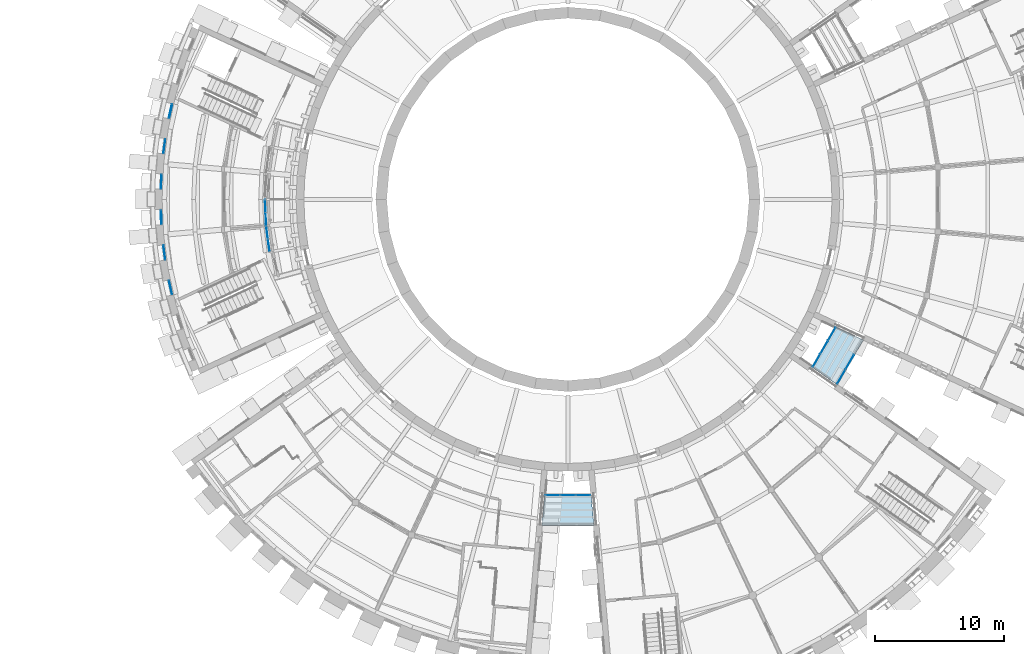
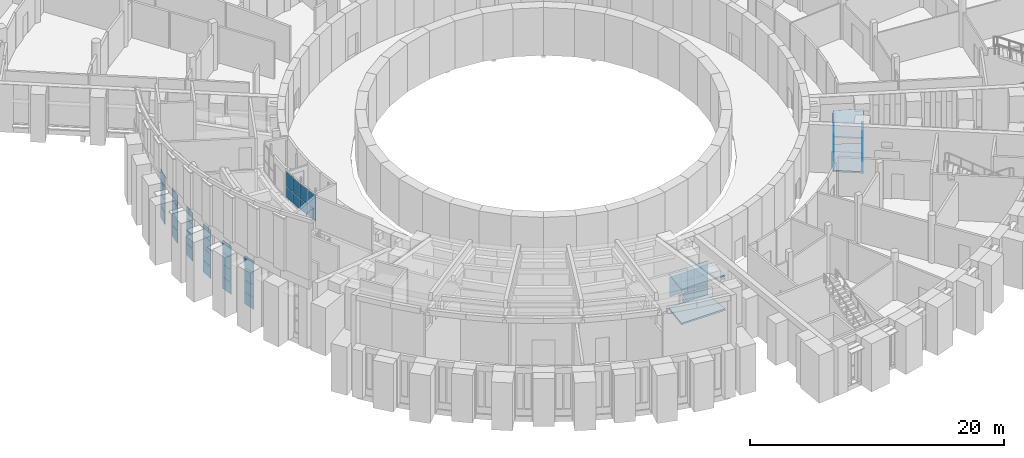
# One storey, part 30 of 66: 55 plates, 4 slabs, 11 elements without a shape of their own.
"""IFC4 building model written with IfcOpenShell, lengths in metres."""

from ifc_helpers import new_model, si_unit, direction, frame, origin, origin_2d, place, context, subcontext, project, spatial, polyline, rectangle, outline, extrude, material, layer, layer_set, type_object, element, aggregate, save


model = new_model("IFC4")

# Units and contexts
model_context = context("Model", 3, precision=1e-05, world=origin(), true_north=direction((0.0, 1.0)))
body_context = subcontext(model_context, "Body", "Model", "MODEL_VIEW")
ifc_project = project(units=[si_unit("LENGTHUNIT", "METRE"), si_unit("AREAUNIT", "SQUARE_METRE"), si_unit("VOLUMEUNIT", "CUBIC_METRE"), si_unit("PLANEANGLEUNIT", "RADIAN"), si_unit("MASSUNIT", "GRAM", prefix="KILO")], contexts=[model_context])

# Site, building, storey
site_placement = place(None, origin())
site = spatial("IfcSite", under=ifc_project, at=site_placement, CompositionType="ELEMENT")
building_placement = place(site_placement, origin())
building = spatial("IfcBuilding", under=site, at=building_placement, Name="Volute Hill Aquarium", CompositionType="ELEMENT")
storey_placement = place(building_placement, frame((0.0, 0.0, 4.60009765625)))
storey = spatial("IfcBuildingStorey", under=building, at=storey_placement, Name="L02", CompositionType="ELEMENT", Elevation=4.60009765625)

# Slabs
ifc_material_1 = material(Name="Concrete C30/37", Category="concrete")
ifc_layer_1 = layer(ifc_material_1, 0.14990234375)
ifc_layer_set_1 = layer_set([ifc_layer_1], Name="Bridge deck slab C30/37 150")
slab_type_1 = type_object("IfcSlabType", Name="Bridge deck slab C30/37 150", PredefinedType="FLOOR", material=ifc_layer_set_1)
slab_1_placement = place(storey_placement, frame((0.0, 0.0, -0.150146484375)))
element("IfcSlab", 1, at=slab_1_placement, inside=storey, type_object=slab_type_1, Name="br/SC3/L02/deck", PredefinedType="FLOOR", context=body_context, shape_type="SweptSolid", body=[
    extrude(outline(polyline([(-1.7939453125, -22.800048828125), (-2.00390625, -25.199951171875), (2.00390625, -25.199951171875), (1.7939453125, -22.800048828125), (-1.7939453125, -22.800048828125)])), origin(), (0.0, 0.0, 1.0), 0.150146484375),
])
slab_2_placement = place(storey_placement, frame((0.0, 0.0, -0.150146484375)))
element("IfcSlab", 2, at=slab_2_placement, inside=storey, type_object=slab_type_1, Name="br/SC4/L02/deck", PredefinedType="FLOOR", context=body_context, shape_type="SweptSolid", body=[
    extrude(outline(polyline([(18.848388671875, -12.95361328125), (20.822021484375, -14.33544921875), (22.82568359375, -10.864501953125), (20.642333984375, -9.846435546875), (18.848388671875, -12.95361328125)])), origin(), (0.0, 0.0, 1.0), 0.150146484375),
])

# Curtain wall, plates
ifc_material_2 = material(Name="Aluminium and glass", Category="aluminium")
ifc_layer_2 = layer(ifc_material_2, 0.1201171875)
ifc_layer_set_2 = layer_set([ifc_layer_2], Name="Bridge curtain wall")
curtain_wall_type_1 = type_object("IfcCurtainWallType", Name="Bridge curtain wall", PredefinedType="NOTDEFINED", material=ifc_layer_set_2)
curtain_wall_1_placement = place(storey_placement, origin())
curtain_wall_1 = element("IfcCurtainWall", 3, at=curtain_wall_1_placement, inside=storey, type_object=curtain_wall_type_1, Name="br/SC3/L02/cwa", PredefinedType="NOTDEFINED")
ifc_material_3 = material(Name="Laminated glass", Category="glass")
ifc_layer_3 = layer(ifc_material_3, 0.028076171875)
ifc_layer_set_3 = layer_set([ifc_layer_3], Name="Bridge glass panel 28")
plate_type_1 = type_object("IfcPlateType", Name="Bridge glass panel 28", PredefinedType="CURTAIN_PANEL", material=ifc_layer_set_3)
plate_1_placement = place(storey_placement, frame((-1.1845703125, -22.860107421875, 1.02978515625), z_axis=(0.0, 0.0, 1.0), x_axis=(1.0, 0.0, 0.0)))
plate_1 = element("IfcPlate", 4, at=plate_1_placement, type_object=plate_type_1, Name="BR5 panel 1.2", PredefinedType="CURTAIN_PANEL", context=body_context, shape_type="SweptSolid", body=[
    extrude(rectangle(XDim=1.109375, YDim=0.028076171875, at=origin_2d()), origin(), (0.0, 0.0, 1.0), 1.0400390625),
])
plate_2_placement = place(storey_placement, frame((-1.1845703125, -22.860107421875, 2.1298828125), z_axis=(0.0, 0.0, 1.0), x_axis=(1.0, 0.0, 0.0)))
plate_2 = element("IfcPlate", 5, at=plate_2_placement, type_object=plate_type_1, Name="BR5 panel 1.3", PredefinedType="CURTAIN_PANEL", context=body_context, shape_type="SweptSolid", body=[
    extrude(rectangle(XDim=1.109375, YDim=0.028076171875, at=origin_2d()), origin(), (0.0, 0.0, 1.0), 0.81005859375),
])
plate_3_placement = place(storey_placement, frame((0.0, -22.860107421875, 0.06005859375), z_axis=(0.0, 0.0, 1.0), x_axis=(1.0, 0.0, 0.0)))
plate_3 = element("IfcPlate", 6, at=plate_3_placement, type_object=plate_type_1, Name="BR5 panel 2.1", PredefinedType="CURTAIN_PANEL", context=body_context, shape_type="SweptSolid", body=[
    extrude(rectangle(XDim=1.139404296875, YDim=0.028076171875, at=origin_2d()), origin(), (0.0, 0.0, 1.0), 0.909912109375),
])
plate_4_placement = place(storey_placement, frame((0.0, -22.860107421875, 1.02978515625), z_axis=(0.0, 0.0, 1.0), x_axis=(1.0, 0.0, 0.0)))
plate_4 = element("IfcPlate", 7, at=plate_4_placement, type_object=plate_type_1, Name="BR5 panel 2.2", PredefinedType="CURTAIN_PANEL", context=body_context, shape_type="SweptSolid", body=[
    extrude(rectangle(XDim=1.139404296875, YDim=0.028076171875, at=origin_2d()), origin(), (0.0, 0.0, 1.0), 1.0400390625),
])
plate_5_placement = place(storey_placement, frame((0.0, -22.860107421875, 2.1298828125), z_axis=(0.0, 0.0, 1.0), x_axis=(1.0, 0.0, 0.0)))
plate_5 = element("IfcPlate", 8, at=plate_5_placement, type_object=plate_type_1, Name="BR5 panel 2.3", PredefinedType="CURTAIN_PANEL", context=body_context, shape_type="SweptSolid", body=[
    extrude(rectangle(XDim=1.139404296875, YDim=0.028076171875, at=origin_2d()), origin(), (0.0, 0.0, 1.0), 0.81005859375),
])
plate_6_placement = place(storey_placement, frame((1.1845703125, -22.860107421875, 0.06005859375), z_axis=(0.0, 0.0, 1.0), x_axis=(1.0, 0.0, 0.0)))
plate_6 = element("IfcPlate", 9, at=plate_6_placement, type_object=plate_type_1, Name="BR5 panel 3.1", PredefinedType="CURTAIN_PANEL", context=body_context, shape_type="SweptSolid", body=[
    extrude(rectangle(XDim=1.109375, YDim=0.028076171875, at=origin_2d()), origin(), (0.0, 0.0, 1.0), 0.909912109375),
])
plate_7_placement = place(storey_placement, frame((1.1845703125, -22.860107421875, 1.02978515625), z_axis=(0.0, 0.0, 1.0), x_axis=(1.0, 0.0, 0.0)))
plate_7 = element("IfcPlate", 10, at=plate_7_placement, type_object=plate_type_1, Name="BR5 panel 3.2", PredefinedType="CURTAIN_PANEL", context=body_context, shape_type="SweptSolid", body=[
    extrude(rectangle(XDim=1.109375, YDim=0.028076171875, at=origin_2d()), origin(), (0.0, 0.0, 1.0), 1.0400390625),
])
plate_8_placement = place(storey_placement, frame((1.1845703125, -22.860107421875, 2.1298828125), z_axis=(0.0, 0.0, 1.0), x_axis=(1.0, 0.0, 0.0)))
plate_8 = element("IfcPlate", 11, at=plate_8_placement, type_object=plate_type_1, Name="BR5 panel 3.3", PredefinedType="CURTAIN_PANEL", context=body_context, shape_type="SweptSolid", body=[
    extrude(rectangle(XDim=1.109375, YDim=0.028076171875, at=origin_2d()), origin(), (0.0, 0.0, 1.0), 0.81005859375),
])
aggregate(curtain_wall_1, [plate_1, plate_2, plate_3, plate_4, plate_5, plate_6, plate_7, plate_8])

curtain_wall_2_placement = place(storey_placement, origin())
curtain_wall_2 = element("IfcCurtainWall", 12, at=curtain_wall_2_placement, inside=storey, type_object=curtain_wall_type_1, Name="br/SC4/L02/cwa", PredefinedType="NOTDEFINED")
plate_9_placement = place(storey_placement, frame((19.205078125, -12.455810546875, 0.06005859375), z_axis=(0.0, 0.0, 1.0), x_axis=(0.500009508239, 0.866019914131, 0.0)))
plate_9 = element("IfcPlate", 13, at=plate_9_placement, type_object=plate_type_1, Name="BR5 panel 1.1", PredefinedType="CURTAIN_PANEL", context=body_context, shape_type="SweptSolid", body=[
    extrude(rectangle(XDim=1.109619140625, YDim=0.028076171875, at=origin_2d()), origin(), (0.0, 0.0, 1.0), 0.909912109375),
])
plate_10_placement = place(storey_placement, frame((19.205078125, -12.455810546875, 1.02978515625), z_axis=(0.0, 0.0, 1.0), x_axis=(0.500009508239, 0.866019914131, 0.0)))
plate_10 = element("IfcPlate", 14, at=plate_10_placement, type_object=plate_type_1, Name="BR5 panel 1.2", PredefinedType="CURTAIN_PANEL", context=body_context, shape_type="SweptSolid", body=[
    extrude(rectangle(XDim=1.109619140625, YDim=0.028076171875, at=origin_2d()), origin(), (0.0, 0.0, 1.0), 1.0400390625),
])
plate_11_placement = place(storey_placement, frame((19.205078125, -12.455810546875, 2.1298828125), z_axis=(0.0, 0.0, 1.0), x_axis=(0.500009508239, 0.866019914131, 0.0)))
plate_11 = element("IfcPlate", 15, at=plate_11_placement, type_object=plate_type_1, Name="BR5 panel 1.3", PredefinedType="CURTAIN_PANEL", context=body_context, shape_type="SweptSolid", body=[
    extrude(rectangle(XDim=1.109619140625, YDim=0.028076171875, at=origin_2d()), origin(), (0.0, 0.0, 1.0), 0.81005859375),
])
plate_12_placement = place(storey_placement, frame((19.79736328125, -11.429931640625, 0.06005859375), z_axis=(0.0, 0.0, 1.0), x_axis=(0.500009508239, 0.866019914131, 0.0)))
plate_12 = element("IfcPlate", 16, at=plate_12_placement, type_object=plate_type_1, Name="BR5 panel 2.1", PredefinedType="CURTAIN_PANEL", context=body_context, shape_type="SweptSolid", body=[
    extrude(rectangle(XDim=1.139404296875, YDim=0.028076171875, at=origin_2d()), origin(), (0.0, 0.0, 1.0), 0.909912109375),
])
plate_13_placement = place(storey_placement, frame((19.79736328125, -11.429931640625, 1.02978515625), z_axis=(0.0, 0.0, 1.0), x_axis=(0.500009508239, 0.866019914131, 0.0)))
plate_13 = element("IfcPlate", 17, at=plate_13_placement, type_object=plate_type_1, Name="BR5 panel 2.2", PredefinedType="CURTAIN_PANEL", context=body_context, shape_type="SweptSolid", body=[
    extrude(rectangle(XDim=1.139404296875, YDim=0.028076171875, at=origin_2d()), origin(), (0.0, 0.0, 1.0), 1.0400390625),
])
plate_14_placement = place(storey_placement, frame((19.79736328125, -11.429931640625, 2.1298828125), z_axis=(0.0, 0.0, 1.0), x_axis=(0.500009508239, 0.866019914131, 0.0)))
plate_14 = element("IfcPlate", 18, at=plate_14_placement, type_object=plate_type_1, Name="BR5 panel 2.3", PredefinedType="CURTAIN_PANEL", context=body_context, shape_type="SweptSolid", body=[
    extrude(rectangle(XDim=1.139404296875, YDim=0.028076171875, at=origin_2d()), origin(), (0.0, 0.0, 1.0), 0.81005859375),
])
plate_15_placement = place(storey_placement, frame((20.3896484375, -10.404296875, 0.06005859375), z_axis=(0.0, 0.0, 1.0), x_axis=(0.500009508239, 0.866019914131, 0.0)))
plate_15 = element("IfcPlate", 19, at=plate_15_placement, type_object=plate_type_1, Name="BR5 panel 3.1", PredefinedType="CURTAIN_PANEL", context=body_context, shape_type="SweptSolid", body=[
    extrude(rectangle(XDim=1.109619140625, YDim=0.028076171875, at=origin_2d()), origin(), (0.0, 0.0, 1.0), 0.909912109375),
])
plate_16_placement = place(storey_placement, frame((20.3896484375, -10.404296875, 1.02978515625), z_axis=(0.0, 0.0, 1.0), x_axis=(0.500009508239, 0.866019914131, 0.0)))
plate_16 = element("IfcPlate", 20, at=plate_16_placement, type_object=plate_type_1, Name="BR5 panel 3.2", PredefinedType="CURTAIN_PANEL", context=body_context, shape_type="SweptSolid", body=[
    extrude(rectangle(XDim=1.109619140625, YDim=0.028076171875, at=origin_2d()), origin(), (0.0, 0.0, 1.0), 1.0400390625),
])
plate_17_placement = place(storey_placement, frame((20.3896484375, -10.404296875, 2.1298828125), z_axis=(0.0, 0.0, 1.0), x_axis=(0.500009508239, 0.866019914131, 0.0)))
plate_17 = element("IfcPlate", 21, at=plate_17_placement, type_object=plate_type_1, Name="BR5 panel 3.3", PredefinedType="CURTAIN_PANEL", context=body_context, shape_type="SweptSolid", body=[
    extrude(rectangle(XDim=1.109619140625, YDim=0.028076171875, at=origin_2d()), origin(), (0.0, 0.0, 1.0), 0.81005859375),
])
aggregate(curtain_wall_2, [plate_9, plate_10, plate_11, plate_12, plate_13, plate_14, plate_15, plate_16, plate_17])

curtain_wall_3_placement = place(storey_placement, origin())
curtain_wall_3 = element("IfcCurtainWall", 22, at=curtain_wall_3_placement, inside=storey, type_object=curtain_wall_type_1, Name="br/SC4/L02/cwb", PredefinedType="NOTDEFINED")
plate_18_placement = place(storey_placement, frame((21.113037109375, -13.7109375, 0.06005859375), z_axis=(0.0, 0.0, 1.0), x_axis=(0.50000541072, 0.866022279881, 0.0)))
plate_18 = element("IfcPlate", 23, at=plate_18_placement, type_object=plate_type_1, Name="BR5 panel 1.1", PredefinedType="CURTAIN_PANEL", context=body_context, shape_type="SweptSolid", body=[
    extrude(rectangle(XDim=1.242431640625, YDim=0.028076171875, at=origin_2d()), origin(), (0.0, 0.0, 1.0), 0.909912109375),
])
plate_19_placement = place(storey_placement, frame((21.113037109375, -13.7109375, 1.02978515625), z_axis=(0.0, 0.0, 1.0), x_axis=(0.50000541072, 0.866022279881, 0.0)))
plate_19 = element("IfcPlate", 24, at=plate_19_placement, type_object=plate_type_1, Name="BR5 panel 1.2", PredefinedType="CURTAIN_PANEL", context=body_context, shape_type="SweptSolid", body=[
    extrude(rectangle(XDim=1.242431640625, YDim=0.028076171875, at=origin_2d()), origin(), (0.0, 0.0, 1.0), 1.0400390625),
])
plate_20_placement = place(storey_placement, frame((21.113037109375, -13.7109375, 2.1298828125), z_axis=(0.0, 0.0, 1.0), x_axis=(0.50000541072, 0.866022279881, 0.0)))
plate_20 = element("IfcPlate", 25, at=plate_20_placement, type_object=plate_type_1, Name="BR5 panel 1.3", PredefinedType="CURTAIN_PANEL", context=body_context, shape_type="SweptSolid", body=[
    extrude(rectangle(XDim=1.242431640625, YDim=0.028076171875, at=origin_2d()), origin(), (0.0, 0.0, 1.0), 0.81005859375),
])
plate_21_placement = place(storey_placement, frame((21.771728515625, -12.570068359375, 0.06005859375), z_axis=(0.0, 0.0, 1.0), x_axis=(0.50000541072, 0.866022279881, 0.0)))
plate_21 = element("IfcPlate", 26, at=plate_21_placement, type_object=plate_type_1, Name="BR5 panel 2.1", PredefinedType="CURTAIN_PANEL", context=body_context, shape_type="SweptSolid", body=[
    extrude(rectangle(XDim=1.2724609375, YDim=0.028076171875, at=origin_2d()), origin(), (0.0, 0.0, 1.0), 0.909912109375),
])
plate_22_placement = place(storey_placement, frame((21.771728515625, -12.570068359375, 1.02978515625), z_axis=(0.0, 0.0, 1.0), x_axis=(0.50000541072, 0.866022279881, 0.0)))
plate_22 = element("IfcPlate", 27, at=plate_22_placement, type_object=plate_type_1, Name="BR5 panel 2.2", PredefinedType="CURTAIN_PANEL", context=body_context, shape_type="SweptSolid", body=[
    extrude(rectangle(XDim=1.2724609375, YDim=0.028076171875, at=origin_2d()), origin(), (0.0, 0.0, 1.0), 1.0400390625),
])
plate_23_placement = place(storey_placement, frame((21.771728515625, -12.570068359375, 2.1298828125), z_axis=(0.0, 0.0, 1.0), x_axis=(0.50000541072, 0.866022279881, 0.0)))
plate_23 = element("IfcPlate", 28, at=plate_23_placement, type_object=plate_type_1, Name="BR5 panel 2.3", PredefinedType="CURTAIN_PANEL", context=body_context, shape_type="SweptSolid", body=[
    extrude(rectangle(XDim=1.2724609375, YDim=0.028076171875, at=origin_2d()), origin(), (0.0, 0.0, 1.0), 0.81005859375),
])
aggregate(curtain_wall_3, [plate_18, plate_19, plate_20, plate_21, plate_22, plate_23])

# Slabs
ifc_material_4 = material(Name="Concrete C30/37", Category="concrete")
ifc_layer_4 = layer(ifc_material_4, 0.1201171875)
ifc_layer_set_4 = layer_set([ifc_layer_4], Name="Bridge roof slab C30/37 120")
slab_type_2 = type_object("IfcSlabType", Name="Bridge roof slab C30/37 120", PredefinedType="ROOF", material=ifc_layer_set_4)
slab_3_placement = place(storey_placement, frame((0.0, 0.0, 3.15185546875)))
element("IfcSlab", 29, at=slab_3_placement, inside=storey, type_object=slab_type_2, Name="br/SC3/L02/roof", PredefinedType="ROOF", context=body_context, shape_type="SweptSolid", body=[
    extrude(outline(polyline([(-1.7939453125, -22.800048828125), (-2.00390625, -25.199951171875), (2.00390625, -25.199951171875), (1.7939453125, -22.800048828125), (-1.7939453125, -22.800048828125)])), origin(), (0.0, 0.0, 1.0), 0.1201171875),
])
slab_4_placement = place(storey_placement, frame((0.0, 0.0, 3.15185546875)))
element("IfcSlab", 30, at=slab_4_placement, inside=storey, type_object=slab_type_2, Name="br/SC4/L02/roof", PredefinedType="ROOF", context=body_context, shape_type="SweptSolid", body=[
    extrude(outline(polyline([(18.848388671875, -12.95361328125), (20.822021484375, -14.33544921875), (22.82568359375, -10.864501953125), (20.642333984375, -9.846435546875), (18.848388671875, -12.95361328125)])), origin(), (0.0, 0.0, 1.0), 0.1201171875),
])

# Curtain wall, plates
ifc_material_5 = material(Name="Aluminium", Category="aluminium")
ifc_layer_5 = layer(ifc_material_5, 0.25)
ifc_layer_set_5 = layer_set([ifc_layer_5], Name="Curtain wall niche S1 module 1193")
curtain_wall_type_2 = type_object("IfcCurtainWallType", Name="Curtain wall niche S1 module 1193", PredefinedType="NOTDEFINED", material=ifc_layer_set_5)
curtain_wall_4_placement = place(storey_placement, origin())
curtain_wall_4 = element("IfcCurtainWall", 31, at=curtain_wall_4_placement, inside=storey, type_object=curtain_wall_type_2, Name="Curtain wall CW S1 L02 3", PredefinedType="NOTDEFINED")
ifc_material_6 = material(Name="Glass, low-iron laminated", Category="glass")
ifc_layer_6 = layer(ifc_material_6, 0.031982421875)
ifc_layer_set_6 = layer_set([ifc_layer_6], Name="Curtain wall glass panel S1 32")
plate_type_2 = type_object("IfcPlateType", Name="Curtain wall glass panel S1 32", PredefinedType="CURTAIN_PANEL", material=ifc_layer_set_6)
plate_24_placement = place(storey_placement, frame((-30.699462890625, 6.805908203125, 1.6650390625), z_axis=(0.0, 0.0, 1.0), x_axis=(-0.216458239523, -0.976291877741, 0.0)))
plate_24 = element("IfcPlate", 32, at=plate_24_placement, type_object=plate_type_2, Name="CW panel 1.2", PredefinedType="CURTAIN_PANEL", context=body_context, shape_type="SweptSolid", body=[
    extrude(rectangle(XDim=1.093017578125, YDim=0.031982421875, at=origin_2d()), origin(), (0.0, 0.0, 1.0), 1.139892578125),
])
plate_25_placement = place(storey_placement, frame((-30.699462890625, 6.805908203125, 2.85498046875), z_axis=(0.0, 0.0, 1.0), x_axis=(-0.216458239523, -0.976291877741, 0.0)))
plate_25 = element("IfcPlate", 33, at=plate_25_placement, type_object=plate_type_2, Name="CW panel 1.3", PredefinedType="CURTAIN_PANEL", context=body_context, shape_type="SweptSolid", body=[
    extrude(rectangle(XDim=1.093017578125, YDim=0.031982421875, at=origin_2d()), origin(), (0.0, 0.0, 1.0), 1.139892578125),
])
plate_26_placement = place(storey_placement, frame((-30.699462890625, 6.805908203125, 4.044921875), z_axis=(0.0, 0.0, 1.0), x_axis=(-0.216458239523, -0.976291877741, 0.0)))
plate_26 = element("IfcPlate", 34, at=plate_26_placement, type_object=plate_type_2, Name="CW panel 1.4", PredefinedType="CURTAIN_PANEL", context=body_context, shape_type="SweptSolid", body=[
    extrude(rectangle(XDim=1.093017578125, YDim=0.031982421875, at=origin_2d()), origin(), (0.0, 0.0, 1.0), 1.114990234375),
])

curtain_wall_5_placement = place(storey_placement, origin())
curtain_wall_5 = element("IfcCurtainWall", 35, at=curtain_wall_5_placement, inside=storey, type_object=curtain_wall_type_2, Name="Curtain wall CW S1 L02 4", PredefinedType="NOTDEFINED")
plate_27_placement = place(storey_placement, frame((-31.17578125, 4.104248046875, 0.5), z_axis=(0.0, 0.0, 1.0), x_axis=(-0.130531706148, -0.991444135436, 0.0)))
plate_27 = element("IfcPlate", 36, at=plate_27_placement, type_object=plate_type_2, Name="CW panel 1.1", PredefinedType="CURTAIN_PANEL", context=body_context, shape_type="SweptSolid", body=[
    extrude(rectangle(XDim=1.093017578125, YDim=0.031982421875, at=origin_2d()), origin(), (0.0, 0.0, 1.0), 1.114990234375),
])
plate_28_placement = place(storey_placement, frame((-31.17578125, 4.104248046875, 1.6650390625), z_axis=(0.0, 0.0, 1.0), x_axis=(-0.130531706148, -0.991444135436, 0.0)))
plate_28 = element("IfcPlate", 37, at=plate_28_placement, type_object=plate_type_2, Name="CW panel 1.2", PredefinedType="CURTAIN_PANEL", context=body_context, shape_type="SweptSolid", body=[
    extrude(rectangle(XDim=1.093017578125, YDim=0.031982421875, at=origin_2d()), origin(), (0.0, 0.0, 1.0), 1.139892578125),
])
plate_29_placement = place(storey_placement, frame((-31.17578125, 4.104248046875, 2.85498046875), z_axis=(0.0, 0.0, 1.0), x_axis=(-0.130531706148, -0.991444135436, 0.0)))
plate_29 = element("IfcPlate", 38, at=plate_29_placement, type_object=plate_type_2, Name="CW panel 1.3", PredefinedType="CURTAIN_PANEL", context=body_context, shape_type="SweptSolid", body=[
    extrude(rectangle(XDim=1.093017578125, YDim=0.031982421875, at=origin_2d()), origin(), (0.0, 0.0, 1.0), 1.139892578125),
])
plate_30_placement = place(storey_placement, frame((-31.17578125, 4.104248046875, 4.044921875), z_axis=(0.0, 0.0, 1.0), x_axis=(-0.130531706148, -0.991444135436, 0.0)))
plate_30 = element("IfcPlate", 39, at=plate_30_placement, type_object=plate_type_2, Name="CW panel 1.4", PredefinedType="CURTAIN_PANEL", context=body_context, shape_type="SweptSolid", body=[
    extrude(rectangle(XDim=1.093017578125, YDim=0.031982421875, at=origin_2d()), origin(), (0.0, 0.0, 1.0), 1.114990234375),
])
aggregate(curtain_wall_5, [plate_27, plate_28, plate_29, plate_30])

curtain_wall_6_placement = place(storey_placement, origin())
curtain_wall_6 = element("IfcCurtainWall", 40, at=curtain_wall_6_placement, inside=storey, type_object=curtain_wall_type_2, Name="Curtain wall CW S1 L02 5", PredefinedType="NOTDEFINED")
plate_31_placement = place(storey_placement, frame((-31.414794921875, 1.37158203125, 0.5), z_axis=(0.0, 0.0, 1.0), x_axis=(-0.043614014722, -0.999048456142, 0.0)))
plate_31 = element("IfcPlate", 41, at=plate_31_placement, type_object=plate_type_2, Name="CW panel 1.1", PredefinedType="CURTAIN_PANEL", context=body_context, shape_type="SweptSolid", body=[
    extrude(rectangle(XDim=1.093017578125, YDim=0.031982421875, at=origin_2d()), origin(), (0.0, 0.0, 1.0), 1.114990234375),
])
plate_32_placement = place(storey_placement, frame((-31.414794921875, 1.37158203125, 1.6650390625), z_axis=(0.0, 0.0, 1.0), x_axis=(-0.043614014722, -0.999048456142, 0.0)))
plate_32 = element("IfcPlate", 42, at=plate_32_placement, type_object=plate_type_2, Name="CW panel 1.2", PredefinedType="CURTAIN_PANEL", context=body_context, shape_type="SweptSolid", body=[
    extrude(rectangle(XDim=1.093017578125, YDim=0.031982421875, at=origin_2d()), origin(), (0.0, 0.0, 1.0), 1.139892578125),
])
plate_33_placement = place(storey_placement, frame((-31.414794921875, 1.37158203125, 2.85498046875), z_axis=(0.0, 0.0, 1.0), x_axis=(-0.043614014722, -0.999048456142, 0.0)))
plate_33 = element("IfcPlate", 43, at=plate_33_placement, type_object=plate_type_2, Name="CW panel 1.3", PredefinedType="CURTAIN_PANEL", context=body_context, shape_type="SweptSolid", body=[
    extrude(rectangle(XDim=1.093017578125, YDim=0.031982421875, at=origin_2d()), origin(), (0.0, 0.0, 1.0), 1.139892578125),
])
plate_34_placement = place(storey_placement, frame((-31.414794921875, 1.37158203125, 4.044921875), z_axis=(0.0, 0.0, 1.0), x_axis=(-0.043614014722, -0.999048456142, 0.0)))
plate_34 = element("IfcPlate", 44, at=plate_34_placement, type_object=plate_type_2, Name="CW panel 1.4", PredefinedType="CURTAIN_PANEL", context=body_context, shape_type="SweptSolid", body=[
    extrude(rectangle(XDim=1.093017578125, YDim=0.031982421875, at=origin_2d()), origin(), (0.0, 0.0, 1.0), 1.114990234375),
])
aggregate(curtain_wall_6, [plate_31, plate_32, plate_33, plate_34])

curtain_wall_7_placement = place(storey_placement, origin())
curtain_wall_7 = element("IfcCurtainWall", 45, at=curtain_wall_7_placement, inside=storey, type_object=curtain_wall_type_2, Name="Curtain wall CW S1 L02 6", PredefinedType="NOTDEFINED")
plate_35_placement = place(storey_placement, frame((-31.414794921875, -1.37158203125, 1.6650390625), z_axis=(0.0, 0.0, 1.0), x_axis=(0.043614014722, -0.999048456142, 0.0)))
plate_35 = element("IfcPlate", 46, at=plate_35_placement, type_object=plate_type_2, Name="CW panel 1.2", PredefinedType="CURTAIN_PANEL", context=body_context, shape_type="SweptSolid", body=[
    extrude(rectangle(XDim=1.093017578125, YDim=0.031982421875, at=origin_2d()), origin(), (0.0, 0.0, 1.0), 1.139892578125),
])
plate_36_placement = place(storey_placement, frame((-31.414794921875, -1.37158203125, 2.85498046875), z_axis=(0.0, 0.0, 1.0), x_axis=(0.043614014722, -0.999048456142, 0.0)))
plate_36 = element("IfcPlate", 47, at=plate_36_placement, type_object=plate_type_2, Name="CW panel 1.3", PredefinedType="CURTAIN_PANEL", context=body_context, shape_type="SweptSolid", body=[
    extrude(rectangle(XDim=1.093017578125, YDim=0.031982421875, at=origin_2d()), origin(), (0.0, 0.0, 1.0), 1.139892578125),
])
plate_37_placement = place(storey_placement, frame((-31.414794921875, -1.37158203125, 4.044921875), z_axis=(0.0, 0.0, 1.0), x_axis=(0.043614014722, -0.999048456142, 0.0)))
plate_37 = element("IfcPlate", 48, at=plate_37_placement, type_object=plate_type_2, Name="CW panel 1.4", PredefinedType="CURTAIN_PANEL", context=body_context, shape_type="SweptSolid", body=[
    extrude(rectangle(XDim=1.093017578125, YDim=0.031982421875, at=origin_2d()), origin(), (0.0, 0.0, 1.0), 1.114990234375),
])

curtain_wall_8_placement = place(storey_placement, origin())
curtain_wall_8 = element("IfcCurtainWall", 49, at=curtain_wall_8_placement, inside=storey, type_object=curtain_wall_type_2, Name="Curtain wall CW S1 L02 7", PredefinedType="NOTDEFINED")
plate_38_placement = place(storey_placement, frame((-31.17578125, -4.1044921875, 0.5), z_axis=(0.0, 0.0, 1.0), x_axis=(0.130523466497, -0.991445220218, 0.0)))
plate_38 = element("IfcPlate", 50, at=plate_38_placement, type_object=plate_type_2, Name="CW panel 1.1", PredefinedType="CURTAIN_PANEL", context=body_context, shape_type="SweptSolid", body=[
    extrude(rectangle(XDim=1.093017578125, YDim=0.031982421875, at=origin_2d()), origin(), (0.0, 0.0, 1.0), 1.114990234375),
])
plate_39_placement = place(storey_placement, frame((-31.17578125, -4.1044921875, 1.6650390625), z_axis=(0.0, 0.0, 1.0), x_axis=(0.130523466497, -0.991445220218, 0.0)))
plate_39 = element("IfcPlate", 51, at=plate_39_placement, type_object=plate_type_2, Name="CW panel 1.2", PredefinedType="CURTAIN_PANEL", context=body_context, shape_type="SweptSolid", body=[
    extrude(rectangle(XDim=1.093017578125, YDim=0.031982421875, at=origin_2d()), origin(), (0.0, 0.0, 1.0), 1.139892578125),
])
plate_40_placement = place(storey_placement, frame((-31.17578125, -4.1044921875, 2.85498046875), z_axis=(0.0, 0.0, 1.0), x_axis=(0.130523466497, -0.991445220218, 0.0)))
plate_40 = element("IfcPlate", 52, at=plate_40_placement, type_object=plate_type_2, Name="CW panel 1.3", PredefinedType="CURTAIN_PANEL", context=body_context, shape_type="SweptSolid", body=[
    extrude(rectangle(XDim=1.093017578125, YDim=0.031982421875, at=origin_2d()), origin(), (0.0, 0.0, 1.0), 1.139892578125),
])
plate_41_placement = place(storey_placement, frame((-31.17578125, -4.1044921875, 4.044921875), z_axis=(0.0, 0.0, 1.0), x_axis=(0.130523466497, -0.991445220218, 0.0)))
plate_41 = element("IfcPlate", 53, at=plate_41_placement, type_object=plate_type_2, Name="CW panel 1.4", PredefinedType="CURTAIN_PANEL", context=body_context, shape_type="SweptSolid", body=[
    extrude(rectangle(XDim=1.093017578125, YDim=0.031982421875, at=origin_2d()), origin(), (0.0, 0.0, 1.0), 1.114990234375),
])
aggregate(curtain_wall_8, [plate_38, plate_39, plate_40, plate_41])

curtain_wall_9_placement = place(storey_placement, origin())
curtain_wall_9 = element("IfcCurtainWall", 54, at=curtain_wall_9_placement, inside=storey, type_object=curtain_wall_type_2, Name="Curtain wall CW S1 L02 8", PredefinedType="NOTDEFINED")
plate_42_placement = place(storey_placement, frame((-30.699462890625, -6.805908203125, 0.5), z_axis=(0.0, 0.0, 1.0), x_axis=(0.216456468061, -0.976292270498, 0.0)))
plate_42 = element("IfcPlate", 55, at=plate_42_placement, type_object=plate_type_2, Name="CW panel 1.1", PredefinedType="CURTAIN_PANEL", context=body_context, shape_type="SweptSolid", body=[
    extrude(rectangle(XDim=1.093017578125, YDim=0.031982421875, at=origin_2d()), origin(), (0.0, 0.0, 1.0), 1.114990234375),
])
plate_43_placement = place(storey_placement, frame((-30.699462890625, -6.805908203125, 1.6650390625), z_axis=(0.0, 0.0, 1.0), x_axis=(0.216456468061, -0.976292270498, 0.0)))
plate_43 = element("IfcPlate", 56, at=plate_43_placement, type_object=plate_type_2, Name="CW panel 1.2", PredefinedType="CURTAIN_PANEL", context=body_context, shape_type="SweptSolid", body=[
    extrude(rectangle(XDim=1.093017578125, YDim=0.031982421875, at=origin_2d()), origin(), (0.0, 0.0, 1.0), 1.139892578125),
])
plate_44_placement = place(storey_placement, frame((-30.699462890625, -6.805908203125, 2.85498046875), z_axis=(0.0, 0.0, 1.0), x_axis=(0.216456468061, -0.976292270498, 0.0)))
plate_44 = element("IfcPlate", 57, at=plate_44_placement, type_object=plate_type_2, Name="CW panel 1.3", PredefinedType="CURTAIN_PANEL", context=body_context, shape_type="SweptSolid", body=[
    extrude(rectangle(XDim=1.093017578125, YDim=0.031982421875, at=origin_2d()), origin(), (0.0, 0.0, 1.0), 1.139892578125),
])
plate_45_placement = place(storey_placement, frame((-30.699462890625, -6.805908203125, 4.044921875), z_axis=(0.0, 0.0, 1.0), x_axis=(0.216456468061, -0.976292270498, 0.0)))
plate_45 = element("IfcPlate", 58, at=plate_45_placement, type_object=plate_type_2, Name="CW panel 1.4", PredefinedType="CURTAIN_PANEL", context=body_context, shape_type="SweptSolid", body=[
    extrude(rectangle(XDim=1.093017578125, YDim=0.031982421875, at=origin_2d()), origin(), (0.0, 0.0, 1.0), 1.114990234375),
])
aggregate(curtain_wall_9, [plate_42, plate_43, plate_44, plate_45])

ifc_material_7 = material(Name="Aluminium", Category="aluminium")
ifc_layer_7 = layer(ifc_material_7, 0.1201171875)
ifc_layer_set_7 = layer_set([ifc_layer_7], Name="Curtain wall S1 pavilion module 1021")
curtain_wall_type_3 = type_object("IfcCurtainWallType", Name="Curtain wall S1 pavilion module 1021", PredefinedType="NOTDEFINED", material=ifc_layer_set_7)
curtain_wall_10_placement = place(storey_placement, origin())
curtain_wall_10 = element("IfcCurtainWall", 59, at=curtain_wall_10_placement, inside=storey, type_object=curtain_wall_type_3, Name="Curtain wall CW S1 pavilion gp2", PredefinedType="NOTDEFINED")
ifc_material_8 = material(Name="Glass, low-iron laminated", Category="glass")
ifc_layer_8 = layer(ifc_material_8, 0.028076171875)
ifc_layer_set_8 = layer_set([ifc_layer_8], Name="Curtain wall glass panel pavilion 28")
plate_type_3 = type_object("IfcPlateType", Name="Curtain wall glass panel pavilion 28", PredefinedType="CURTAIN_PANEL", material=ifc_layer_set_8)
plate_46_placement = place(storey_placement, frame((-23.377197265625, -0.522216796875, 4.369873046875), z_axis=(0.0, 0.0, 1.0), x_axis=(0.043598789719, -0.999049120682, 0.0)))
plate_46 = element("IfcPlate", 60, at=plate_46_placement, type_object=plate_type_3, Name="Panel S1 pavilion 1.1", PredefinedType="CURTAIN_PANEL", context=body_context, shape_type="SweptSolid", body=[
    extrude(rectangle(XDim=0.945556640625, YDim=0.028076171875, at=origin_2d()), origin(), (0.0, 0.0, 1.0), 1.02490234375),
])
plate_47_placement = place(storey_placement, frame((-23.41162109375, -0.050537109375, 5.44482421875), z_axis=(-0.999058592835, -0.043381195037, 0.0), x_axis=(0.043381195037, -0.999058592835, 0.0)))
plate_47 = element("IfcPlate", 61, at=plate_47_placement, type_object=plate_type_3, Name="Panel S1 pavilion 1.2", PredefinedType="CURTAIN_PANEL", context=body_context, shape_type="SweptSolid", body=[
    extrude(outline(polyline([(0.0, 0.0), (0.9454701504990899, 0.0), (0.9454701504990899, 1.425048828125), (0.0, 1.425048828125), (0.0, 0.0)])), origin(), (0.0, 0.0, -1.0), 0.028076171875),
])
plate_48_placement = place(storey_placement, frame((-23.332763671875, -1.5419921875, 4.369873046875), z_axis=(0.0, 0.0, 1.0), x_axis=(0.043598789719, -0.999049120682, 0.0)))
plate_48 = element("IfcPlate", 62, at=plate_48_placement, type_object=plate_type_3, Name="Panel S1 pavilion 2.1", PredefinedType="CURTAIN_PANEL", context=body_context, shape_type="SweptSolid", body=[
    extrude(rectangle(XDim=0.99560546875, YDim=0.028076171875, at=origin_2d()), origin(), (0.0, 0.0, 1.0), 1.02490234375),
])
plate_49_placement = place(storey_placement, frame((-23.368408203125, -1.04541015625, 5.44482421875), z_axis=(-0.999046881908, -0.043650060132, 0.0), x_axis=(0.043650060132, -0.999046881908, 0.0)))
plate_49 = element("IfcPlate", 63, at=plate_49_placement, type_object=plate_type_3, Name="Panel S1 pavilion 2.2", PredefinedType="CURTAIN_PANEL", context=body_context, shape_type="SweptSolid", body=[
    extrude(outline(polyline([(0.0, 0.0), (0.9955778094720346, 0.0), (0.9955778094720346, 1.425048828125), (0.0, 1.425048828125), (0.0, 0.0)])), origin(), (0.0, 0.0, -1.0), 0.028076171875),
])
aggregate(curtain_wall_10, [plate_46, plate_47, plate_48, plate_49])

curtain_wall_11_placement = place(storey_placement, origin())
curtain_wall_11 = element("IfcCurtainWall", 64, at=curtain_wall_11_placement, inside=storey, type_object=curtain_wall_type_3, Name="Curtain wall CW S1 pavilion gp3", PredefinedType="NOTDEFINED")
plate_50_placement = place(storey_placement, frame((-23.24267578125, -2.557861328125, 4.369873046875), z_axis=(0.0, 0.0, 1.0), x_axis=(0.13054321068, -0.991442620702, 0.0)))
plate_50 = element("IfcPlate", 65, at=plate_50_placement, type_object=plate_type_3, Name="Panel S1 pavilion 1.1", PredefinedType="CURTAIN_PANEL", context=body_context, shape_type="SweptSolid", body=[
    extrude(rectangle(XDim=0.94580078125, YDim=0.028076171875, at=origin_2d()), origin(), (0.0, 0.0, 1.0), 1.02490234375),
])
plate_51_placement = place(storey_placement, frame((-23.318359375, -2.090576171875, 5.44482421875), z_axis=(-0.99143407694, -0.130608081992, 0.0), x_axis=(0.130608081992, -0.99143407694, 0.0)))
plate_51 = element("IfcPlate", 66, at=plate_51_placement, type_object=plate_type_3, Name="Panel S1 pavilion 1.2", PredefinedType="CURTAIN_PANEL", context=body_context, shape_type="SweptSolid", body=[
    extrude(outline(polyline([(0.0, 0.0), (0.945846186283072, 0.0), (0.945846186283072, 1.425048828125), (0.0, 1.425048828125), (0.0, 0.0)])), origin(), (0.0, 0.0, -1.0), 0.028076171875),
])
plate_52_placement = place(storey_placement, frame((-23.11279296875, -3.544921875, 4.369873046875), z_axis=(0.0, 0.0, 1.0), x_axis=(0.13054321068, -0.991442620702, 0.0)))
plate_52 = element("IfcPlate", 67, at=plate_52_placement, type_object=plate_type_3, Name="Panel S1 pavilion 2.1", PredefinedType="CURTAIN_PANEL", context=body_context, shape_type="SweptSolid", body=[
    extrude(rectangle(XDim=0.94580078125, YDim=0.028076171875, at=origin_2d()), origin(), (0.0, 0.0, 1.0), 1.02490234375),
])
plate_53_placement = place(storey_placement, frame((-23.1884765625, -3.077880859375, 5.44482421875), z_axis=(-0.99143407694, -0.130608081992, 0.0), x_axis=(0.130608081992, -0.99143407694, 0.0)))
plate_53 = element("IfcPlate", 68, at=plate_53_placement, type_object=plate_type_3, Name="Panel S1 pavilion 2.2", PredefinedType="CURTAIN_PANEL", context=body_context, shape_type="SweptSolid", body=[
    extrude(outline(polyline([(0.0, 0.0), (0.945846186283072, 0.0), (0.945846186283072, 1.425048828125), (0.0, 1.425048828125), (0.0, 0.0)])), origin(), (0.0, 0.0, -1.0), 0.028076171875),
])
aggregate(curtain_wall_11, [plate_50, plate_51, plate_52, plate_53])

# Plate
ifc_material_9 = material(Name="Aluminium", Category="aluminium")
ifc_layer_9 = layer(ifc_material_9, 0.06005859375)
ifc_layer_set_9 = layer_set([ifc_layer_9], Name="Curtain wall insulated spandrel panel 60")
plate_type_4 = type_object("IfcPlateType", Name="Curtain wall insulated spandrel panel 60", PredefinedType="CURTAIN_PANEL", material=ifc_layer_set_9)
plate_54_placement = place(storey_placement, frame((-30.699462890625, 6.805908203125, 0.5), z_axis=(0.0, 0.0, 1.0), x_axis=(-0.216458239523, -0.976291877741, 0.0)))
plate_54 = element("IfcPlate", 69, at=plate_54_placement, type_object=plate_type_4, Name="CW panel 1.1", PredefinedType="CURTAIN_PANEL", context=body_context, shape_type="SweptSolid", body=[
    extrude(rectangle(XDim=1.093017578125, YDim=0.06005859375, at=origin_2d()), origin(), (0.0, 0.0, 1.0), 1.114990234375),
])

aggregate(curtain_wall_4, [plate_54, plate_24, plate_25, plate_26])

plate_55_placement = place(storey_placement, frame((-31.414794921875, -1.37158203125, 0.5), z_axis=(0.0, 0.0, 1.0), x_axis=(0.043614014722, -0.999048456142, 0.0)))
plate_55 = element("IfcPlate", 70, at=plate_55_placement, type_object=plate_type_4, Name="CW panel 1.1", PredefinedType="CURTAIN_PANEL", context=body_context, shape_type="SweptSolid", body=[
    extrude(rectangle(XDim=1.093017578125, YDim=0.06005859375, at=origin_2d()), origin(), (0.0, 0.0, 1.0), 1.114990234375),
])

aggregate(curtain_wall_7, [plate_55, plate_35, plate_36, plate_37])

save(model, "model.ifc")
